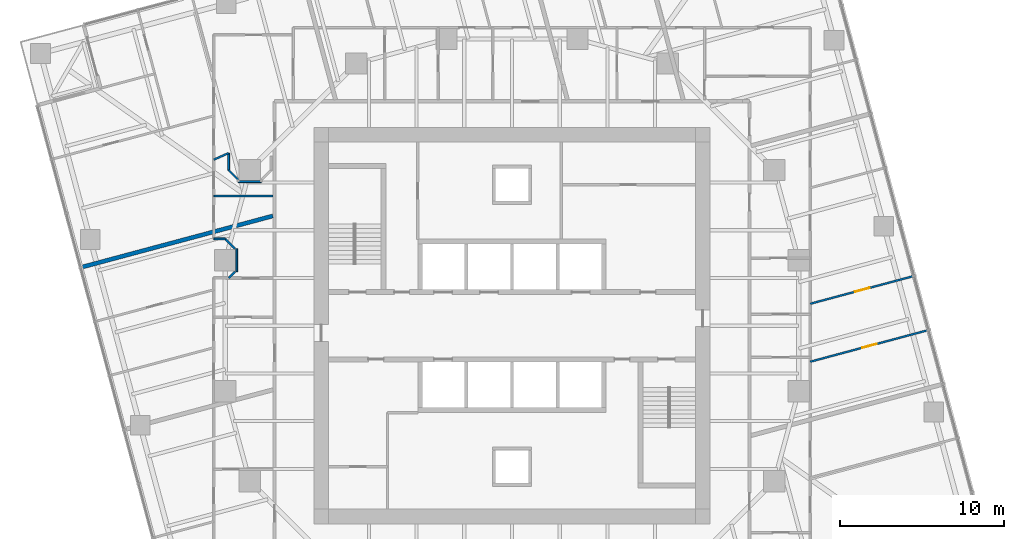
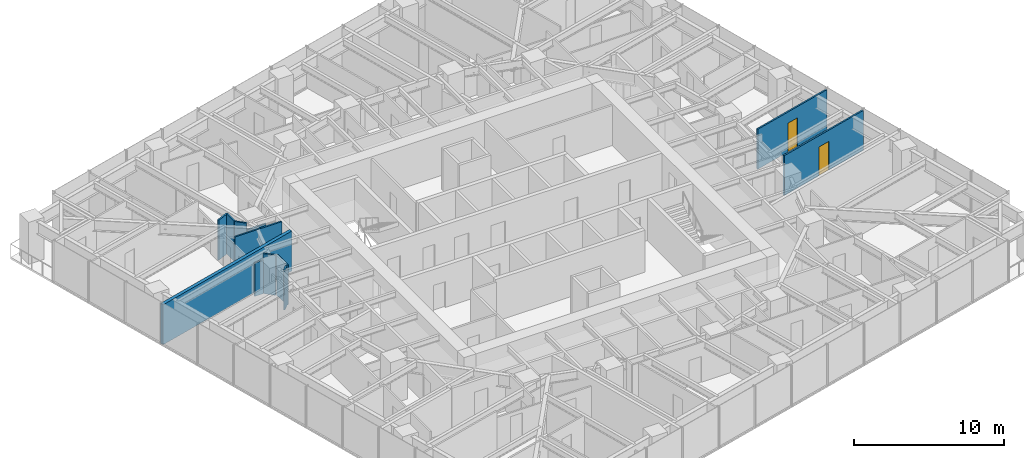
# One storey, part 11 of 15: 12 walls, 2 doors, 2 openings.
"""IFC4 building model written with IfcOpenShell, lengths in metres."""

from ifc_helpers import new_model, si_unit, direction, frame, frame_2d, origin, place, context, subcontext, project, spatial, rectangle, extrude, material, layer, layer_set, type_object, element, fill, save


model = new_model("IFC4")

# Units and contexts
model_context = context("Model", 3, precision=1e-05, world=origin(), true_north=direction((0.0, 1.0)))
body_context = subcontext(model_context, "Body", "Model", "MODEL_VIEW")
ifc_project = project(units=[si_unit("LENGTHUNIT", "METRE"), si_unit("AREAUNIT", "SQUARE_METRE"), si_unit("VOLUMEUNIT", "CUBIC_METRE"), si_unit("PLANEANGLEUNIT", "RADIAN"), si_unit("MASSUNIT", "GRAM", prefix="KILO")], contexts=[model_context])

# Site, building, storey
site_placement = place(None, origin())
site = spatial("IfcSite", under=ifc_project, at=site_placement, CompositionType="ELEMENT")
building_placement = place(site_placement, origin())
building = spatial("IfcBuilding", under=site, at=building_placement, Name="Torsade Residences", CompositionType="ELEMENT")
storey_placement = place(building_placement, frame((0.0, 0.0, 132.0)))
storey = spatial("IfcBuildingStorey", under=building, at=storey_placement, Name="L36", CompositionType="ELEMENT", Elevation=132.0)

# Wall, opening, door
ifc_material_1 = material(Name="Plasterboard on steel stud", Category="steel")
ifc_layer_1 = layer(ifc_material_1, 0.1201171875)
ifc_layer_set_1 = layer_set([ifc_layer_1], Name="Plasterboard on steel stud")
wall_type_1 = type_object("IfcWallType", Name="PARTITION 120", PredefinedType="PARTITIONING", material=ifc_layer_set_1)
wall_1_placement = place(storey_placement, frame((64.5107421875, 33.030517578125, 0.0), z_axis=(0.0, 0.0, 1.0), x_axis=(-0.96591852682, -0.258846285554, 0.0)))
wall_1 = element("IfcWall", 1, at=wall_1_placement, inside=storey, type_object=wall_type_1, Name="Partition L36", PredefinedType="PARTITIONING", context=body_context, shape_type="SweptSolid", body=[
    extrude(rectangle(XDim=6.533447265625, YDim=0.1201171875, at=frame_2d((3.2666015625, 0.0))), origin(), (0.0, 0.0, 1.0), 3.25),
])
opening_1_placement = place(wall_1_placement, frame((2.78662109375, 0.0, 0.0)))
opening_1 = element("IfcOpeningElement", 2, at=opening_1_placement, cuts=wall_1, Name="Opening D02", PredefinedType="OPENING", context=body_context, shape_type="SweptSolid", body=[
    extrude(rectangle(XDim=0.919921875, YDim=2.340087890625, at=frame_2d((0.4599609375, 1.169921875))), frame((0.0, 0.070068359375, 0.0), z_axis=(0.0, -1.0, 0.0), x_axis=(1.0, 0.0, 0.0)), (0.0, 0.0, 1.0), 0.14013671875),
])
ifc_material_2 = material(Name="Hollow-core timber door", Category="wood")
door_type = type_object("IfcDoorType", Name="INTERNAL DOOR 920x2340", OperationType="NOTDEFINED", PredefinedType="DOOR", material=ifc_material_2)
door_1_placement = place(opening_1_placement, origin())
door_1 = element("IfcDoor", 3, at=door_1_placement, inside=storey, type_object=door_type, Name="Door Living room to Bedroom 2", OperationType="SINGLE_SWING_RIGHT", OverallHeight=2.340087890625, OverallWidth=0.919921875, PredefinedType="DOOR", context=body_context, shape_type="SweptSolid", body=[
    extrude(rectangle(XDim=0.919921875, YDim=2.340087890625, at=frame_2d((0.4599609375, 1.169921875))), frame((0.0, 0.02490234375, 0.0), z_axis=(0.0, -1.0, 0.0), x_axis=(1.0, 0.0, 0.0)), (0.0, 0.0, 1.0), 0.050048828125),
])
fill(opening_1, door_1)

wall_2_placement = place(storey_placement, frame((58.199951171875, 27.80224609375, 0.0), z_axis=(0.0, 0.0, 1.0), x_axis=(0.965925814813, 0.258819087933, 0.0)))
wall_2 = element("IfcWall", 4, at=wall_2_placement, inside=storey, type_object=wall_type_1, Name="Partition L36", PredefinedType="PARTITIONING", context=body_context, shape_type="SweptSolid", body=[
    extrude(rectangle(XDim=7.44921875, YDim=0.1201171875, at=frame_2d((3.724609375, 0.0))), origin(), (0.0, 0.0, 1.0), 3.25),
])
opening_2_placement = place(wall_2_placement, frame((3.284423828125, 0.0, 0.0)))
opening_2 = element("IfcOpeningElement", 5, at=opening_2_placement, cuts=wall_2, Name="Opening D02", PredefinedType="OPENING", context=body_context, shape_type="SweptSolid", body=[
    extrude(rectangle(XDim=0.919921875, YDim=2.340087890625, at=frame_2d((0.4599609375, 1.169921875))), frame((0.0, 0.070068359375, 0.0), z_axis=(0.0, -1.0, 0.0), x_axis=(1.0, 0.0, 0.0)), (0.0, 0.0, 1.0), 0.14013671875),
])
door_2_placement = place(opening_2_placement, origin())
door_2 = element("IfcDoor", 6, at=door_2_placement, inside=storey, type_object=door_type, Name="Door Bedroom 2 to Bedroom 1", OperationType="SINGLE_SWING_LEFT", OverallHeight=2.340087890625, OverallWidth=0.919921875, PredefinedType="DOOR", context=body_context, shape_type="SweptSolid", body=[
    extrude(rectangle(XDim=0.919921875, YDim=2.340087890625, at=frame_2d((0.4599609375, 1.169921875))), frame((0.0, 0.02490234375, 0.0), z_axis=(0.0, -1.0, 0.0), x_axis=(1.0, 0.0, 0.0)), (0.0, 0.0, 1.0), 0.050048828125),
])
fill(opening_2, door_2)

# Walls
wall_3_placement = place(storey_placement, frame((24.699951171875, 38.800048828125, 0.0), z_axis=(0.0, 0.0, 1.0), x_axis=(-1.0, 0.0, 0.0)))
element("IfcWall", 7, at=wall_3_placement, inside=storey, type_object=wall_type_1, Name="Partition L36", PredefinedType="PARTITIONING", context=body_context, shape_type="SweptSolid", body=[
    extrude(rectangle(XDim=1.39990234375, YDim=0.1201171875, at=frame_2d((0.699951171875, 0.0))), origin(), (0.0, 0.0, 1.0), 2.7958984375),
])
wall_4_placement = place(storey_placement, frame((23.300048828125, 38.89990234375, 0.0), z_axis=(0.0, 0.0, 1.0), x_axis=(-0.707106781187, 0.707106781187, 0.0)))
element("IfcWall", 8, at=wall_4_placement, inside=storey, type_object=wall_type_1, Name="Partition L36", PredefinedType="PARTITIONING", context=body_context, shape_type="SweptSolid", body=[
    extrude(rectangle(XDim=0.8486328125, YDim=0.1201171875, at=frame_2d((0.42431640625, 0.0))), origin(), (0.0, 0.0, 1.0), 3.25),
])
wall_5_placement = place(storey_placement, frame((22.699951171875, 39.5, 0.0), z_axis=(0.0, 0.0, 1.0), x_axis=(0.0, 1.0, 0.0)))
element("IfcWall", 9, at=wall_5_placement, inside=storey, type_object=wall_type_1, Name="Partition L36", PredefinedType="PARTITIONING", context=body_context, shape_type="SweptSolid", body=[
    extrude(rectangle(XDim=1.035400390625, YDim=0.1201171875, at=frame_2d((0.517578125, 0.0))), origin(), (0.0, 0.0, 1.0), 3.25),
])
wall_6_placement = place(storey_placement, frame((22.699951171875, 40.535400390625, 0.0), z_axis=(0.0, 0.0, 1.0), x_axis=(-0.913739977195, -0.406299463544, 0.0)))
element("IfcWall", 10, at=wall_6_placement, inside=storey, type_object=wall_type_1, Name="Partition L36", PredefinedType="PARTITIONING", context=body_context, shape_type="SweptSolid", body=[
    extrude(rectangle(XDim=0.98486328125, YDim=0.1201171875, at=frame_2d((0.492431640625, 0.0))), origin(), (0.0, 0.0, 1.0), 3.25),
])
wall_7_placement = place(storey_placement, frame((25.39990234375, 37.918212890625, 0.0), z_axis=(0.0, 0.0, 1.0), x_axis=(-1.0, 0.0, 0.0)))
element("IfcWall", 11, at=wall_7_placement, inside=storey, type_object=wall_type_1, Name="Partition L36", PredefinedType="PARTITIONING", context=body_context, shape_type="SweptSolid", body=[
    extrude(rectangle(XDim=3.599853515625, YDim=0.1201171875, at=frame_2d((1.7998046875, 0.0))), origin(), (0.0, 0.0, 1.0), 3.25),
])
wall_8_placement = place(storey_placement, frame((22.716064453125, 32.916015625, 0.0), z_axis=(0.0, 0.0, 1.0), x_axis=(0.707106781187, 0.707106781187, 0.0)))
element("IfcWall", 12, at=wall_8_placement, inside=storey, type_object=wall_type_1, Name="Partition L36", PredefinedType="PARTITIONING", context=body_context, shape_type="SweptSolid", body=[
    extrude(rectangle(XDim=0.543212890625, YDim=0.1201171875, at=frame_2d((0.271484375, 0.0))), origin(), (0.0, 0.0, 1.0), 3.25),
])
wall_9_placement = place(storey_placement, frame((23.199951171875, 33.300048828125, 0.0), z_axis=(0.0, 0.0, 1.0), x_axis=(0.0, 1.0, 0.0)))
element("IfcWall", 13, at=wall_9_placement, inside=storey, type_object=wall_type_1, Name="Partition L36", PredefinedType="PARTITIONING", context=body_context, shape_type="SweptSolid", body=[
    extrude(rectangle(XDim=1.39990234375, YDim=0.1201171875, at=frame_2d((0.699951171875, 0.0))), origin(), (0.0, 0.0, 1.0), 3.25),
])
wall_10_placement = place(storey_placement, frame((23.10009765625, 34.699951171875, 0.0), z_axis=(0.0, 0.0, 1.0), x_axis=(-0.707106781187, 0.707106781187, 0.0)))
element("IfcWall", 14, at=wall_10_placement, inside=storey, type_object=wall_type_1, Name="Partition L36", PredefinedType="PARTITIONING", context=body_context, shape_type="SweptSolid", body=[
    extrude(rectangle(XDim=0.8486328125, YDim=0.1201171875, at=frame_2d((0.42431640625, 0.0))), origin(), (0.0, 0.0, 1.0), 3.25),
])
wall_11_placement = place(storey_placement, frame((22.5, 35.300048828125, 0.0), z_axis=(0.0, 0.0, 1.0), x_axis=(-1.0, 0.0, 0.0)))
element("IfcWall", 15, at=wall_11_placement, inside=storey, type_object=wall_type_1, Name="Partition L36", PredefinedType="PARTITIONING", context=body_context, shape_type="SweptSolid", body=[
    extrude(rectangle(XDim=0.699951171875, YDim=0.1201171875, at=frame_2d((0.35009765625, 0.0))), origin(), (0.0, 0.0, 1.0), 2.720947265625),
])
ifc_material_3 = material(Name="Masonry-lined stud party wall", Category="masonry")
ifc_layer_2 = layer(ifc_material_3, 0.25)
ifc_layer_set_2 = layer_set([ifc_layer_2], Name="Masonry-lined stud party wall")
wall_type_2 = type_object("IfcWallType", Name="PARTY WALL 250", PredefinedType="PARTITIONING", material=ifc_layer_set_2)
wall_12_placement = place(storey_placement, frame((13.681884765625, 33.5595703125, 0.0), z_axis=(0.0, 0.0, 1.0), x_axis=(0.965924438766, 0.258824223352, 0.0)))
element("IfcWall", 16, at=wall_12_placement, inside=storey, type_object=wall_type_2, Name="Party wall L36", PredefinedType="PARTITIONING", context=body_context, shape_type="SweptSolid", body=[
    extrude(rectangle(XDim=12.137939453125, YDim=0.25, at=frame_2d((6.06884765625, 0.0))), origin(), (0.0, 0.0, 1.0), 3.25),
])

save(model, "model.ifc")
